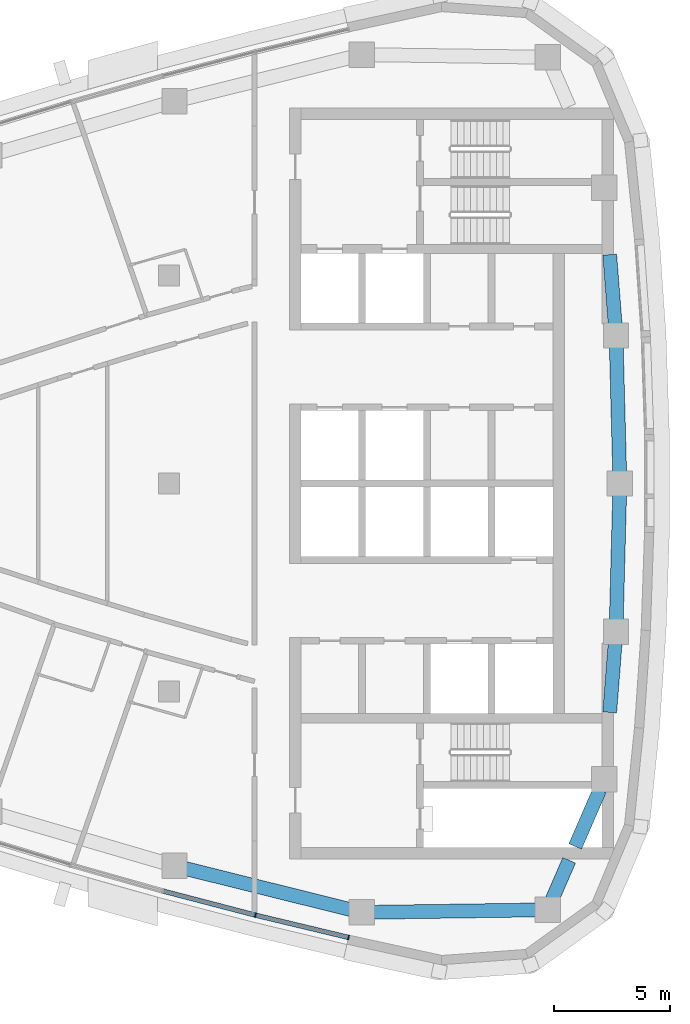
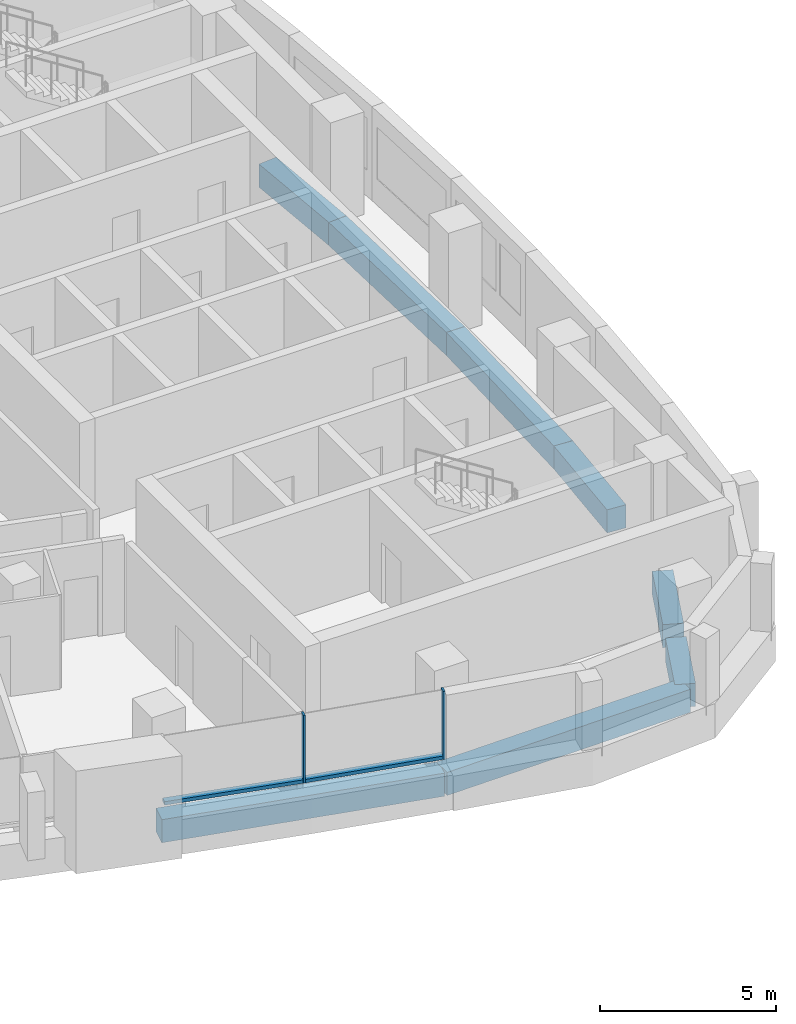
# One storey, part 4 of 14: 8 beams, 4 members, 1 element without a shape of its own.
"""IFC4 building model written with IfcOpenShell, lengths in metres."""

from ifc_helpers import new_model, si_unit, direction, frame, origin, origin_2d, place, context, subcontext, project, spatial, rectangle, extrude, material, layer, layer_set, material_profile, profile_set, type_object, element, aggregate, save


model = new_model("IFC4")

# Units and contexts
model_context = context("Model", 3, precision=1e-05, world=origin(), true_north=direction((0.0, 1.0)))
body_context = subcontext(model_context, "Body", "Model", "MODEL_VIEW")
ifc_project = project(units=[si_unit("LENGTHUNIT", "METRE"), si_unit("AREAUNIT", "SQUARE_METRE"), si_unit("VOLUMEUNIT", "CUBIC_METRE"), si_unit("PLANEANGLEUNIT", "RADIAN"), si_unit("MASSUNIT", "GRAM", prefix="KILO")], contexts=[model_context])

# Site, building, storey
site_placement = place(None, origin())
site = spatial("IfcSite", under=ifc_project, at=site_placement, CompositionType="ELEMENT")
building_placement = place(site_placement, origin())
building = spatial("IfcBuilding", under=site, at=building_placement, Name="Ostrand Prow Hotel Tower", CompositionType="ELEMENT")
storey_placement = place(building_placement, frame((0.0, 0.0, 271.449951171875)))
storey = spatial("IfcBuildingStorey", under=building, at=storey_placement, Name="L68", CompositionType="ELEMENT", Elevation=271.449951171875)

# Beams
ifc_material_1 = material(Name="Concrete C50/60", Category="concrete")
ifc_material_profile_1 = material_profile(ifc_material_1, rectangle(XDim=0.60009765625, YDim=0.800048828125, at=origin_2d()), Name="RC 600x800")
ifc_profile_set_1 = profile_set([ifc_material_profile_1], Name="Concrete C50/60")
beam_type = type_object("IfcBeamType", Name="Edge beam 600x800 C50/60", PredefinedType="SPANDREL", material=ifc_profile_set_1)
beam_1_placement = place(storey_placement, frame((45.234619140625, -16.53857421875, -0.699951171875), z_axis=(0.970456465292, -0.241276291775, 0.0), x_axis=(0.241276291775, 0.970456465292, 0.0)))
element("IfcBeam", 1, at=beam_1_placement, inside=storey, type_object=beam_type, Name="Edge beam S5-S6", PredefinedType="SPANDREL", context=body_context, shape_type="SweptSolid", body=[
    extrude(rectangle(XDim=0.60009765625, YDim=0.800048828125, at=origin_2d()), origin(), (0.0, 0.0, 1.0), 8.348876953125),
])
beam_2_placement = place(storey_placement, frame((53.3369140625, -18.552978515625, -0.699951171875), z_axis=(0.999900689486, 0.014092947356, 0.0), x_axis=(-0.014092947356, 0.999900689486, 0.0)))
element("IfcBeam", 2, at=beam_2_placement, inside=storey, type_object=beam_type, Name="Edge beam S6-SE", PredefinedType="SPANDREL", context=body_context, shape_type="SweptSolid", body=[
    extrude(rectangle(XDim=0.60009765625, YDim=0.800048828125, at=origin_2d()), origin(), (0.0, 0.0, 1.0), 8.0380859375),
])
beam_3_placement = place(storey_placement, frame((61.374267578125, -18.439697265625, -0.699951171875), z_axis=(0.398863844187, 0.91701016014, 0.0), x_axis=(-0.91701016014, 0.398863844187, 0.0)))
element("IfcBeam", 3, at=beam_3_placement, inside=storey, type_object=beam_type, Name="Edge beam SE-B1", PredefinedType="SPANDREL", context=body_context, shape_type="SweptSolid", body=[
    extrude(rectangle(XDim=0.60009765625, YDim=0.800048828125, at=origin_2d()), origin(), (0.0, 0.0, 1.0), 2.333251953125),
])
beam_4_placement = place(storey_placement, frame((62.56591796875, -15.699951171875, -0.699951171875), z_axis=(0.398799624102, 0.917038090712, 0.0), x_axis=(-0.917038090712, 0.398799624102, 0.0)))
element("IfcBeam", 4, at=beam_4_placement, inside=storey, type_object=beam_type, Name="Edge beam SE-B1", PredefinedType="SPANDREL", context=body_context, shape_type="SweptSolid", body=[
    extrude(rectangle(XDim=0.60009765625, YDim=0.800048828125, at=origin_2d()), origin(), (0.0, 0.0, 1.0), 2.671630859375),
])
beam_5_placement = place(storey_placement, frame((64.058349609375, -9.89990234375, -0.699951171875), z_axis=(0.078240080308, 0.996934546414, 0.0), x_axis=(-0.996934546414, 0.078240080308, 0.0)))
element("IfcBeam", 5, at=beam_5_placement, inside=storey, type_object=beam_type, Name="Edge beam B1-B2", PredefinedType="SPANDREL", context=body_context, shape_type="SweptSolid", body=[
    extrude(rectangle(XDim=0.60009765625, YDim=0.800048828125, at=origin_2d()), origin(), (0.0, 0.0, 1.0), 3.50732421875),
])
for number, where, z_axis, x_axis, name in (
    (6, (64.332763671875, -6.4033203125, -0.699951171875), (0.026108223987, 0.999659122221, 0.0), (-0.999659122221, 0.026108223987, 0.0), "Edge beam B2-B3"),
    (7, (64.5, 0.0, -0.699951171875), (-0.026108223987, 0.999659122221, 0.0), (-0.999659122221, -0.026108223987, 0.0), "Edge beam B3-B4"),
):
    element("IfcBeam", number, at=place(storey_placement, frame(where, z_axis=z_axis, x_axis=x_axis)), inside=storey, type_object=beam_type, Name=name, PredefinedType="SPANDREL", context=body_context, shape_type="SweptSolid", body=[
        extrude(rectangle(XDim=0.60009765625, YDim=0.800048828125, at=origin_2d()), origin(), (0.0, 0.0, 1.0), 6.405517578125),
    ])
beam_6_placement = place(storey_placement, frame((64.332763671875, 6.4033203125, -0.699951171875), z_axis=(-0.078240080308, 0.996934546414, 0.0), x_axis=(-0.996934546414, -0.078240080308, 0.0)))
element("IfcBeam", 8, at=beam_6_placement, inside=storey, type_object=beam_type, Name="Edge beam B4-B5", PredefinedType="SPANDREL", context=body_context, shape_type="SweptSolid", body=[
    extrude(rectangle(XDim=0.60009765625, YDim=0.800048828125, at=origin_2d()), origin(), (0.0, 0.0, 1.0), 3.50732421875),
])

# Curtain wall, members
ifc_material_2 = material(Name="Insulated glass in bronze anodised frame", Category="glass")
ifc_layer = layer(ifc_material_2, 0.199951171875)
ifc_layer_set = layer_set([ifc_layer], Name="Insulated glass in bronze anodised frame")
curtain_wall_type = type_object("IfcCurtainWallType", Name="Strip curtain wall, fritted glass over bronze spandrel", PredefinedType="NOTDEFINED", material=ifc_layer_set)
curtain_wall_placement = place(storey_placement, origin())
curtain_wall = element("IfcCurtainWall", 9, at=curtain_wall_placement, inside=storey, type_object=curtain_wall_type, Name="CW1 run CWS5", PredefinedType="NOTDEFINED")
ifc_material_3 = material(Name="Bronze anodised aluminium", Category="aluminium")
ifc_material_profile_2 = material_profile(ifc_material_3, rectangle(XDim=0.199951171875, YDim=0.06005859375, at=origin_2d()), Name="Mullion 60x200 bronze anodised aluminium")
ifc_profile_set_2 = profile_set([ifc_material_profile_2], Name="Bronze anodised aluminium")
member_type_1 = type_object("IfcMemberType", Name="Mullion 60x200 bronze anodised aluminium", PredefinedType="MULLION", material=ifc_profile_set_2)
member_1_placement = place(storey_placement, frame((48.734619140625, -18.6708984375, 0.900146484375), z_axis=(0.0, 0.0, 1.0), x_axis=(0.232746096028, 0.972537533869, 0.0)))
member_1 = element("IfcMember", 10, at=member_1_placement, type_object=member_type_1, Name="CW1 mullion 2", PredefinedType="MULLION", context=body_context, shape_type="SweptSolid", body=[
    extrude(rectangle(XDim=0.199951171875, YDim=0.06005859375, at=origin_2d()), origin(), (0.0, 0.0, 1.0), 2.349853515625),
])
member_2_placement = place(storey_placement, frame((52.7607421875, -19.634521484375, 0.900146484375), z_axis=(0.0, 0.0, 1.0), x_axis=(0.232746096028, 0.972537533869, 0.0)))
member_2 = element("IfcMember", 11, at=member_2_placement, type_object=member_type_1, Name="CW1 mullion 3", PredefinedType="MULLION", context=body_context, shape_type="SweptSolid", body=[
    extrude(rectangle(XDim=0.199951171875, YDim=0.06005859375, at=origin_2d()), origin(), (0.0, 0.0, 1.0), 2.349853515625),
])
ifc_material_4 = material(Name="Bronze anodised aluminium", Category="aluminium")
ifc_material_profile_3 = material_profile(ifc_material_4, rectangle(XDim=0.199951171875, YDim=0.1201171875, at=origin_2d()), Name="Transom 120x200 bronze anodised aluminium")
ifc_profile_set_3 = profile_set([ifc_material_profile_3], Name="Bronze anodised aluminium")
member_type_2 = type_object("IfcMemberType", Name="Transom 120x200 bronze anodised aluminium", PredefinedType="USERDEFINED", material=ifc_profile_set_3)
member_3_placement = place(storey_placement, frame((44.7578125, -17.63427734375, 0.9599609375), z_axis=(0.967664917891, -0.252239185461, 0.0), x_axis=(0.252239185461, 0.967664917891, 0.0)))
member_3 = element("IfcMember", 12, at=member_3_placement, type_object=member_type_2, Name="CW1 transom 1.1", ObjectType="TRANSOM", PredefinedType="USERDEFINED", context=body_context, shape_type="SweptSolid", body=[
    extrude(rectangle(XDim=0.199951171875, YDim=0.1201171875, at=origin_2d()), origin(), (0.0, 0.0, 1.0), 4.07958984375),
])
member_4_placement = place(storey_placement, frame((48.763671875, -18.677978515625, 0.9599609375), z_axis=(0.972542980558, -0.232723335675, 0.0), x_axis=(0.232723335675, 0.972542980558, 0.0)))
member_4 = element("IfcMember", 13, at=member_4_placement, type_object=member_type_2, Name="CW1 transom 2.1", ObjectType="TRANSOM", PredefinedType="USERDEFINED", context=body_context, shape_type="SweptSolid", body=[
    extrude(rectangle(XDim=0.199951171875, YDim=0.1201171875, at=origin_2d()), origin(), (0.0, 0.0, 1.0), 4.079833984375),
])
aggregate(curtain_wall, [member_1, member_2, member_3, member_4])

save(model, "model.ifc")
